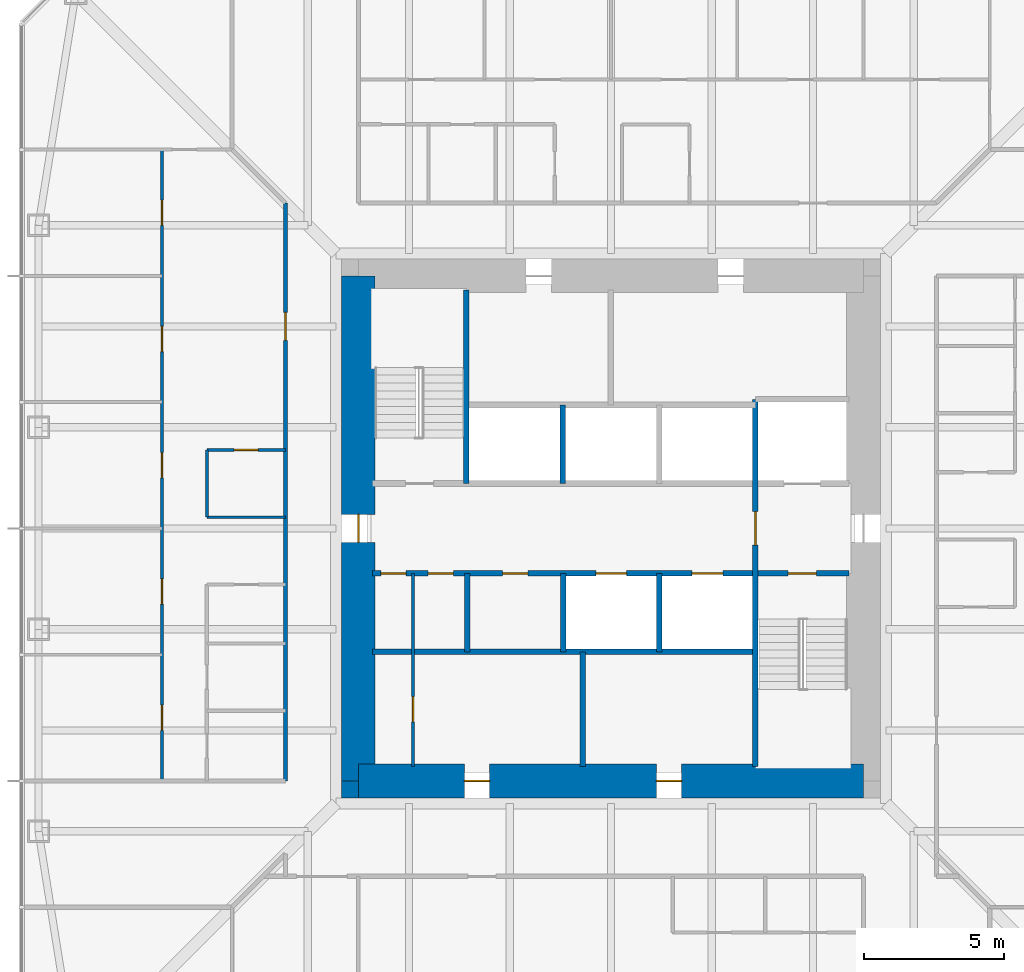
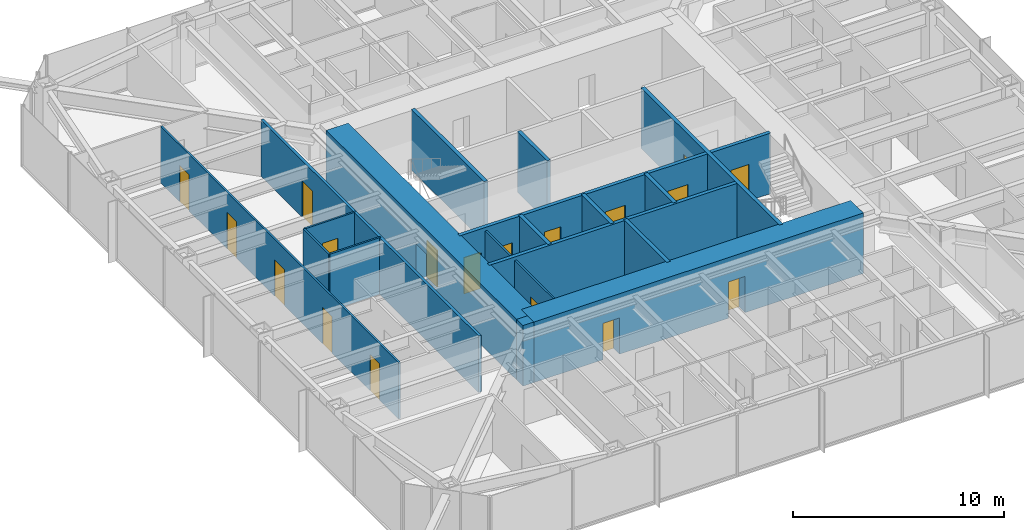
# One storey, part 14 of 25: 18 doors, 18 walls, 18 openings.
"""IFC4 building model written with IfcOpenShell, lengths in metres."""

from ifc_helpers import new_model, si_unit, direction, frame, frame_2d, origin, place, context, subcontext, project, spatial, rectangle, extrude, material, layer, layer_set, type_object, element, fill, save


model = new_model("IFC4")

# Units and contexts
model_context = context("Model", 3, precision=1e-05, world=origin(), true_north=direction((0.0, 1.0)))
body_context = subcontext(model_context, "Body", "Model", "MODEL_VIEW")
ifc_project = project(units=[si_unit("LENGTHUNIT", "METRE"), si_unit("AREAUNIT", "SQUARE_METRE"), si_unit("VOLUMEUNIT", "CUBIC_METRE"), si_unit("PLANEANGLEUNIT", "RADIAN"), si_unit("MASSUNIT", "GRAM", prefix="KILO")], contexts=[model_context])

# Site, building, storey
site_placement = place(None, origin())
site = spatial("IfcSite", under=ifc_project, at=site_placement, CompositionType="ELEMENT")
building_placement = place(site_placement, origin())
building = spatial("IfcBuilding", under=site, at=building_placement, Name="Iwan Alto Co-Living Towers", CompositionType="ELEMENT")
storey_placement = place(building_placement, frame((0.0, 0.0, 84.0)))
storey = spatial("IfcBuildingStorey", under=building, at=storey_placement, Name="L22", CompositionType="ELEMENT", Elevation=84.0)

# Wall, opening, door
ifc_material_1 = material(Name="Gypsum board")
ifc_layer_1 = layer(ifc_material_1, 0.02490234375, Name="Board", Category="Finish")
ifc_material_2 = material(Name="Steel ASTM A1003 ST33H cold-formed studs", Category="steel")
ifc_layer_2 = layer(ifc_material_2, 0.10009765625, Name="Studs", Category="Framing")
ifc_layer_3 = layer(ifc_material_1, 0.02490234375, Name="Board", Category="Finish")
ifc_layer_set_1 = layer_set([ifc_layer_1, ifc_layer_2, ifc_layer_3], Name="CORRIDOR WALL 150")
wall_type_1 = type_object("IfcWallType", Name="CORRIDOR WALL 150", PredefinedType="PARTITIONING", material=ifc_layer_set_1)
wall_1_placement = place(storey_placement, frame((-11.60009765625, -9.0, 0.0), z_axis=(0.0, 0.0, 1.0), x_axis=(0.0, 1.0, 0.0)))
wall_1 = element("IfcWall", 1, at=wall_1_placement, inside=storey, type_object=wall_type_1, Name="Partition L22", PredefinedType="PARTITIONING", context=body_context, shape_type="SweptSolid", body=[
    extrude(rectangle(XDim=20.60009765625, YDim=0.14990234375, at=frame_2d((10.300048828125, 0.0))), origin(), (0.0, 0.0, 1.0), 3.27001953125),
])
opening_1_placement = place(wall_1_placement, frame((15.699951171875, 0.0, 0.0)))
opening_1 = element("IfcOpeningElement", 2, at=opening_1_placement, cuts=wall_1, Name="Opening D3", PredefinedType="OPENING", context=body_context, shape_type="SweptSolid", body=[
    extrude(rectangle(XDim=1.0, YDim=2.10009765625, at=frame_2d((0.5, 1.050048828125))), frame((0.0, 0.0849609375, 0.0), z_axis=(0.0, -1.0, 0.0), x_axis=(1.0, 0.0, 0.0)), (0.0, 0.0, 1.0), 0.169921875),
])
ifc_material_3 = material(Name="Steel frame with timber leaf", Category="steel")
door_type_1 = type_object("IfcDoorType", Name="FLAT ENTRANCE DOOR FD30S 1000X2100", OperationType="SINGLE_SWING_LEFT", PredefinedType="DOOR", material=ifc_material_3)
door_1_placement = place(opening_1_placement, origin())
door_1 = element("IfcDoor", 3, at=door_1_placement, inside=storey, type_object=door_type_1, Name="Cluster lounge door L22", OperationType="SINGLE_SWING_LEFT", OverallHeight=2.10009765625, OverallWidth=1.0, PredefinedType="DOOR", context=body_context, shape_type="SweptSolid", body=[
    extrude(rectangle(XDim=1.0, YDim=2.10009765625, at=frame_2d((0.5, 1.050048828125))), frame((0.0, 0.02490234375, 0.0), z_axis=(0.0, -1.0, 0.0), x_axis=(1.0, 0.0, 0.0)), (0.0, 0.0, 1.0), 0.050048828125),
])
fill(opening_1, door_1)

# Wall
ifc_layer_4 = layer(ifc_material_1, 0.012451171875, Name="Board", Category="Finish")
ifc_layer_5 = layer(ifc_material_2, 0.074951171875, Name="Studs", Category="Framing")
ifc_layer_6 = layer(ifc_material_1, 0.012451171875, Name="Board", Category="Finish")
ifc_layer_set_2 = layer_set([ifc_layer_4, ifc_layer_5, ifc_layer_6], Name="PARTITION 100")
wall_type_2 = type_object("IfcWallType", Name="PARTITION 100", PredefinedType="PARTITIONING", material=ifc_layer_set_2)
wall_2_placement = place(storey_placement, frame((-14.39990234375, 0.39990234375, 0.0), z_axis=(0.0, 0.0, 1.0), x_axis=(1.0, 0.0, 0.0)))
element("IfcWall", 4, at=wall_2_placement, inside=storey, type_object=wall_type_2, Name="Partition L22", PredefinedType="PARTITIONING", context=body_context, shape_type="SweptSolid", body=[
    extrude(rectangle(XDim=2.7998046875, YDim=0.10009765625, at=frame_2d((1.39990234375, 0.0))), origin(), (0.0, 0.0, 1.0), 3.27001953125),
])

# Wall, opening, door
wall_3_placement = place(storey_placement, frame((-14.39990234375, 2.800048828125, 0.0), z_axis=(0.0, 0.0, 1.0), x_axis=(1.0, 0.0, 0.0)))
wall_3 = element("IfcWall", 5, at=wall_3_placement, inside=storey, type_object=wall_type_2, Name="Partition L22", PredefinedType="PARTITIONING", context=body_context, shape_type="SweptSolid", body=[
    extrude(rectangle(XDim=2.7998046875, YDim=0.10009765625, at=frame_2d((1.39990234375, 0.0))), origin(), (0.0, 0.0, 1.0), 3.27001953125),
])
opening_2_placement = place(wall_3_placement, frame((0.97509765625, 0.0, 0.0)))
opening_2 = element("IfcOpeningElement", 6, at=opening_2_placement, cuts=wall_3, Name="Opening D2", PredefinedType="OPENING", context=body_context, shape_type="SweptSolid", body=[
    extrude(rectangle(XDim=0.85009765625, YDim=2.10009765625, at=frame_2d((0.425048828125, 1.050048828125))), frame((0.0, 0.06005859375, 0.0), z_axis=(0.0, -1.0, 0.0), x_axis=(1.0, 0.0, 0.0)), (0.0, 0.0, 1.0), 0.1201171875),
])
ifc_material_4 = material(Name="Timber leaf in steel frame", Category="steel")
door_type_2 = type_object("IfcDoorType", Name="ROOM DOOR 850X2100", OperationType="SINGLE_SWING_LEFT", PredefinedType="DOOR", material=ifc_material_4)
door_2_placement = place(opening_2_placement, origin())
door_2 = element("IfcDoor", 7, at=door_2_placement, inside=storey, type_object=door_type_2, Name="Store room door L22", OperationType="SINGLE_SWING_RIGHT", OverallHeight=2.10009765625, OverallWidth=0.85009765625, PredefinedType="DOOR", context=body_context, shape_type="SweptSolid", body=[
    extrude(rectangle(XDim=0.85009765625, YDim=2.10009765625, at=frame_2d((0.425048828125, 1.050048828125))), frame((0.0, 0.02490234375, 0.0), z_axis=(0.0, -1.0, 0.0), x_axis=(1.0, 0.0, 0.0)), (0.0, 0.0, 1.0), 0.050048828125),
])
fill(opening_2, door_2)

wall_4_placement = place(storey_placement, frame((-7.050048828125, -8.489990234375, 0.0), z_axis=(0.0, 0.0, 1.0), x_axis=(0.0, 1.0, 0.0)))
wall_4 = element("IfcWall", 8, at=wall_4_placement, inside=storey, type_object=wall_type_2, Name="Partition L22", PredefinedType="PARTITIONING", context=body_context, shape_type="SweptSolid", body=[
    extrude(rectangle(XDim=6.889892578125, YDim=0.10009765625, at=frame_2d((3.44482421875, 0.0))), origin(), (0.0, 0.0, 1.0), 3.300048828125),
])
opening_3_placement = place(wall_4_placement, frame((1.594970703125, 0.0, 0.0)))
opening_3 = element("IfcOpeningElement", 9, at=opening_3_placement, cuts=wall_4, Name="Opening D16", PredefinedType="OPENING", context=body_context, shape_type="SweptSolid", body=[
    extrude(rectangle(XDim=0.89990234375, YDim=2.10009765625, at=frame_2d((0.449951171875, 1.050048828125))), frame((0.0, 0.06005859375, 0.0), z_axis=(0.0, -1.0, 0.0), x_axis=(1.0, 0.0, 0.0)), (0.0, 0.0, 1.0), 0.1201171875),
])
ifc_material_5 = material(Name="Timber leaf in steel frame", Category="steel")
door_type_3 = type_object("IfcDoorType", Name="CUPBOARD SLIDING DOOR 900X2100", OperationType="SLIDING_TO_LEFT", PredefinedType="DOOR", material=ifc_material_5)
door_3_placement = place(opening_3_placement, origin())
door_3 = element("IfcDoor", 10, at=door_3_placement, inside=storey, type_object=door_type_3, Name="Recycling store door L22", OperationType="SLIDING_TO_RIGHT", OverallHeight=2.10009765625, OverallWidth=0.89990234375, PredefinedType="DOOR", context=body_context, shape_type="SweptSolid", body=[
    extrude(rectangle(XDim=0.89990234375, YDim=2.10009765625, at=frame_2d((0.449951171875, 1.050048828125))), frame((0.0, 0.02490234375, 0.0), z_axis=(0.0, -1.0, 0.0), x_axis=(1.0, 0.0, 0.0)), (0.0, 0.0, 1.0), 0.050048828125),
])
fill(opening_3, door_3)

# Wall
wall_5_placement = place(storey_placement, frame((-14.39990234375, 0.39990234375, 0.0), z_axis=(0.0, 0.0, 1.0), x_axis=(0.0, 1.0, 0.0)))
element("IfcWall", 11, at=wall_5_placement, inside=storey, type_object=wall_type_2, Name="Partition L22", PredefinedType="PARTITIONING", context=body_context, shape_type="SweptSolid", body=[
    extrude(rectangle(XDim=2.400146484375, YDim=0.10009765625, at=frame_2d((1.2001953125, 0.0))), origin(), (0.0, 0.0, 1.0), 3.27001953125),
])

# Wall, openings, doors
wall_6_placement = place(storey_placement, frame((-16.0, -9.0, 0.0), z_axis=(0.0, 0.0, 1.0), x_axis=(0.0, 1.0, 0.0)))
wall_6 = element("IfcWall", 12, at=wall_6_placement, inside=storey, type_object=wall_type_2, Name="Partition L22", PredefinedType="PARTITIONING", context=body_context, shape_type="SweptSolid", body=[
    extrude(rectangle(XDim=22.5, YDim=0.10009765625, at=frame_2d((11.25, 0.0))), origin(), (0.0, 0.0, 1.0), 3.27001953125),
])
opening_4_placement = place(wall_6_placement, frame((19.800048828125, 0.0, 0.0)))
opening_4 = element("IfcOpeningElement", 13, at=opening_4_placement, cuts=wall_6, Name="Opening D1", PredefinedType="OPENING", context=body_context, shape_type="SweptSolid", body=[
    extrude(rectangle(XDim=0.89990234375, YDim=2.10009765625, at=frame_2d((0.449951171875, 1.050048828125))), frame((0.0, 0.06005859375, 0.0), z_axis=(0.0, -1.0, 0.0), x_axis=(1.0, 0.0, 0.0)), (0.0, 0.0, 1.0), 0.1201171875),
])
opening_5_placement = place(wall_6_placement, frame((15.300048828125, 0.0, 0.0)))
opening_5 = element("IfcOpeningElement", 14, at=opening_5_placement, cuts=wall_6, Name="Opening D1", PredefinedType="OPENING", context=body_context, shape_type="SweptSolid", body=[
    extrude(rectangle(XDim=0.89990234375, YDim=2.10009765625, at=frame_2d((0.449951171875, 1.050048828125))), frame((0.0, 0.06005859375, 0.0), z_axis=(0.0, -1.0, 0.0), x_axis=(1.0, 0.0, 0.0)), (0.0, 0.0, 1.0), 0.1201171875),
])
opening_6_placement = place(wall_6_placement, frame((10.800048828125, 0.0, 0.0)))
opening_6 = element("IfcOpeningElement", 15, at=opening_6_placement, cuts=wall_6, Name="Opening D1", PredefinedType="OPENING", context=body_context, shape_type="SweptSolid", body=[
    extrude(rectangle(XDim=0.89990234375, YDim=2.10009765625, at=frame_2d((0.449951171875, 1.050048828125))), frame((0.0, 0.06005859375, 0.0), z_axis=(0.0, -1.0, 0.0), x_axis=(1.0, 0.0, 0.0)), (0.0, 0.0, 1.0), 0.1201171875),
])
opening_7_placement = place(wall_6_placement, frame((6.300048828125, 0.0, 0.0)))
opening_7 = element("IfcOpeningElement", 16, at=opening_7_placement, cuts=wall_6, Name="Opening D1", PredefinedType="OPENING", context=body_context, shape_type="SweptSolid", body=[
    extrude(rectangle(XDim=0.89990234375, YDim=2.10009765625, at=frame_2d((0.449951171875, 1.050048828125))), frame((0.0, 0.06005859375, 0.0), z_axis=(0.0, -1.0, 0.0), x_axis=(1.0, 0.0, 0.0)), (0.0, 0.0, 1.0), 0.1201171875),
])
opening_8_placement = place(wall_6_placement, frame((1.800048828125, 0.0, 0.0)))
opening_8 = element("IfcOpeningElement", 17, at=opening_8_placement, cuts=wall_6, Name="Opening D1", PredefinedType="OPENING", context=body_context, shape_type="SweptSolid", body=[
    extrude(rectangle(XDim=0.89990234375, YDim=2.10009765625, at=frame_2d((0.449951171875, 1.050048828125))), frame((0.0, 0.06005859375, 0.0), z_axis=(0.0, -1.0, 0.0), x_axis=(1.0, 0.0, 0.0)), (0.0, 0.0, 1.0), 0.1201171875),
])
ifc_material_6 = material(Name="Timber leaf in steel frame", Category="steel")
door_type_4 = type_object("IfcDoorType", Name="BEDROOM DOOR 900X2100", OperationType="SINGLE_SWING_LEFT", PredefinedType="DOOR", material=ifc_material_6)
door_4_placement = place(opening_4_placement, frame((0.89990234375, 0.0, 0.0), z_axis=(0.0, 0.0, 1.0), x_axis=(-1.0, 0.0, 0.0)))
door_4 = element("IfcDoor", 18, at=door_4_placement, inside=storey, type_object=door_type_4, Name="Study bedroom door L22", OperationType="SINGLE_SWING_LEFT", OverallHeight=2.10009765625, OverallWidth=0.89990234375, PredefinedType="DOOR", context=body_context, shape_type="SweptSolid", body=[
    extrude(rectangle(XDim=0.89990234375, YDim=2.10009765625, at=frame_2d((0.449951171875, 1.050048828125))), frame((0.0, 0.02490234375, 0.0), z_axis=(0.0, -1.0, 0.0), x_axis=(1.0, 0.0, 0.0)), (0.0, 0.0, 1.0), 0.050048828125),
])
fill(opening_4, door_4)
door_5_placement = place(opening_5_placement, frame((0.89990234375, 0.0, 0.0), z_axis=(0.0, 0.0, 1.0), x_axis=(-1.0, 0.0, 0.0)))
door_5 = element("IfcDoor", 19, at=door_5_placement, inside=storey, type_object=door_type_4, Name="Study bedroom door L22", OperationType="SINGLE_SWING_LEFT", OverallHeight=2.10009765625, OverallWidth=0.89990234375, PredefinedType="DOOR", context=body_context, shape_type="SweptSolid", body=[
    extrude(rectangle(XDim=0.89990234375, YDim=2.10009765625, at=frame_2d((0.449951171875, 1.050048828125))), frame((0.0, 0.02490234375, 0.0), z_axis=(0.0, -1.0, 0.0), x_axis=(1.0, 0.0, 0.0)), (0.0, 0.0, 1.0), 0.050048828125),
])
fill(opening_5, door_5)
door_6_placement = place(opening_6_placement, frame((0.89990234375, 0.0, 0.0), z_axis=(0.0, 0.0, 1.0), x_axis=(-1.0, 0.0, 0.0)))
door_6 = element("IfcDoor", 20, at=door_6_placement, inside=storey, type_object=door_type_4, Name="Study bedroom door L22", OperationType="SINGLE_SWING_RIGHT", OverallHeight=2.10009765625, OverallWidth=0.89990234375, PredefinedType="DOOR", context=body_context, shape_type="SweptSolid", body=[
    extrude(rectangle(XDim=0.89990234375, YDim=2.10009765625, at=frame_2d((0.449951171875, 1.050048828125))), frame((0.0, 0.02490234375, 0.0), z_axis=(0.0, -1.0, 0.0), x_axis=(1.0, 0.0, 0.0)), (0.0, 0.0, 1.0), 0.050048828125),
])
fill(opening_6, door_6)
door_7_placement = place(opening_7_placement, frame((0.89990234375, 0.0, 0.0), z_axis=(0.0, 0.0, 1.0), x_axis=(-1.0, 0.0, 0.0)))
door_7 = element("IfcDoor", 21, at=door_7_placement, inside=storey, type_object=door_type_4, Name="Study bedroom door L22", OperationType="SINGLE_SWING_RIGHT", OverallHeight=2.10009765625, OverallWidth=0.89990234375, PredefinedType="DOOR", context=body_context, shape_type="SweptSolid", body=[
    extrude(rectangle(XDim=0.89990234375, YDim=2.10009765625, at=frame_2d((0.449951171875, 1.050048828125))), frame((0.0, 0.02490234375, 0.0), z_axis=(0.0, -1.0, 0.0), x_axis=(1.0, 0.0, 0.0)), (0.0, 0.0, 1.0), 0.050048828125),
])
fill(opening_7, door_7)
door_8_placement = place(opening_8_placement, frame((0.89990234375, 0.0, 0.0), z_axis=(0.0, 0.0, 1.0), x_axis=(-1.0, 0.0, 0.0)))
door_8 = element("IfcDoor", 22, at=door_8_placement, inside=storey, type_object=door_type_4, Name="Study bedroom door L22", OperationType="SINGLE_SWING_RIGHT", OverallHeight=2.10009765625, OverallWidth=0.89990234375, PredefinedType="DOOR", context=body_context, shape_type="SweptSolid", body=[
    extrude(rectangle(XDim=0.89990234375, YDim=2.10009765625, at=frame_2d((0.449951171875, 1.050048828125))), frame((0.0, 0.02490234375, 0.0), z_axis=(0.0, -1.0, 0.0), x_axis=(1.0, 0.0, 0.0)), (0.0, 0.0, 1.0), 0.050048828125),
])
fill(opening_8, door_8)

# Wall
ifc_material_7 = material(Name="Concrete f'c 70 MPa", Category="concrete")
ifc_layer_7 = layer(ifc_material_7, 0.199951171875)
ifc_layer_set_3 = layer_set([ifc_layer_7], Name="SHAFT WALL 200")
wall_type_3 = type_object("IfcWallType", Name="SHAFT WALL 200", PredefinedType="SOLIDWALL", material=ifc_layer_set_3)
wall_7_placement = place(storey_placement, frame((-8.489990234375, -4.39990234375, 0.0), z_axis=(0.0, 0.0, 1.0), x_axis=(1.0, 0.0, 0.0)))
element("IfcWall", 23, at=wall_7_placement, inside=storey, type_object=wall_type_3, Name="Shaft wall L22", PredefinedType="SOLIDWALL", context=body_context, shape_type="SweptSolid", body=[
    extrude(rectangle(XDim=13.639892578125, YDim=0.199951171875, at=frame_2d((6.81982421875, 0.0))), origin(), (0.0, 0.0, 1.0), 3.5),
])

# Wall, openings, doors
wall_8_placement = place(storey_placement, frame((-8.489990234375, -1.60009765625, 0.0), z_axis=(0.0, 0.0, 1.0), x_axis=(1.0, 0.0, 0.0)))
wall_8 = element("IfcWall", 24, at=wall_8_placement, inside=storey, type_object=wall_type_3, Name="Shaft wall L22", PredefinedType="SOLIDWALL", context=body_context, shape_type="SweptSolid", body=[
    extrude(rectangle(XDim=16.97998046875, YDim=0.199951171875, at=frame_2d((8.489990234375, 0.0))), origin(), (0.0, 0.0, 1.0), 3.5),
])
opening_9_placement = place(wall_8_placement, frame((14.81005859375, 0.0, 0.0)))
opening_9 = element("IfcOpeningElement", 25, at=opening_9_placement, cuts=wall_8, Name="Opening D5", PredefinedType="OPENING", context=body_context, shape_type="SweptSolid", body=[
    extrude(rectangle(XDim=1.0, YDim=2.10009765625, at=frame_2d((0.5, 1.050048828125))), frame((0.0, 0.10986328125, 0.0), z_axis=(0.0, -1.0, 0.0), x_axis=(1.0, 0.0, 0.0)), (0.0, 0.0, 1.0), 0.219970703125),
])
opening_10_placement = place(wall_8_placement, frame((1.972900390625, 0.0, 0.0)))
opening_10 = element("IfcOpeningElement", 26, at=opening_10_placement, cuts=wall_8, Name="Opening D15", PredefinedType="OPENING", context=body_context, shape_type="SweptSolid", body=[
    extrude(rectangle(XDim=0.89990234375, YDim=2.10009765625, at=frame_2d((0.449951171875, 1.050048828125))), frame((0.0, 0.10986328125, 0.0), z_axis=(0.0, -1.0, 0.0), x_axis=(1.0, 0.0, 0.0)), (0.0, 0.0, 1.0), 0.219970703125),
])
opening_11_placement = place(wall_8_placement, frame((0.2900390625, 0.0, 0.0)))
opening_11 = element("IfcOpeningElement", 27, at=opening_11_placement, cuts=wall_8, Name="Opening D15", PredefinedType="OPENING", context=body_context, shape_type="SweptSolid", body=[
    extrude(rectangle(XDim=0.89990234375, YDim=2.10009765625, at=frame_2d((0.449951171875, 1.050048828125))), frame((0.0, 0.10986328125, 0.0), z_axis=(0.0, -1.0, 0.0), x_axis=(1.0, 0.0, 0.0)), (0.0, 0.0, 1.0), 0.219970703125),
])
opening_12_placement = place(wall_8_placement, frame((4.626953125, 0.0, 0.0)))
opening_12 = element("IfcOpeningElement", 28, at=opening_12_placement, cuts=wall_8, Name="Opening D15", PredefinedType="OPENING", context=body_context, shape_type="SweptSolid", body=[
    extrude(rectangle(XDim=0.89990234375, YDim=2.10009765625, at=frame_2d((0.449951171875, 1.050048828125))), frame((0.0, 0.10986328125, 0.0), z_axis=(0.0, -1.0, 0.0), x_axis=(1.0, 0.0, 0.0)), (0.0, 0.0, 1.0), 0.219970703125),
])
opening_13_placement = place(wall_8_placement, frame((7.952880859375, 0.0, 0.0)))
opening_13 = element("IfcOpeningElement", 29, at=opening_13_placement, cuts=wall_8, Name="Opening LD", PredefinedType="OPENING", context=body_context, shape_type="SweptSolid", body=[
    extrude(rectangle(XDim=1.10009765625, YDim=2.10009765625, at=frame_2d((0.550048828125, 1.050048828125))), frame((0.0, 0.10986328125, 0.0), z_axis=(0.0, -1.0, 0.0), x_axis=(1.0, 0.0, 0.0)), (0.0, 0.0, 1.0), 0.219970703125),
])
opening_14_placement = place(wall_8_placement, frame((11.3779296875, 0.0, 0.0)))
opening_14 = element("IfcOpeningElement", 30, at=opening_14_placement, cuts=wall_8, Name="Opening LD", PredefinedType="OPENING", context=body_context, shape_type="SweptSolid", body=[
    extrude(rectangle(XDim=1.10009765625, YDim=2.10009765625, at=frame_2d((0.550048828125, 1.050048828125))), frame((0.0, 0.10986328125, 0.0), z_axis=(0.0, -1.0, 0.0), x_axis=(1.0, 0.0, 0.0)), (0.0, 0.0, 1.0), 0.219970703125),
])
ifc_material_8 = material(Name="Steel frame with timber leaf", Category="steel")
door_type_5 = type_object("IfcDoorType", Name="CORE ROOM DOOR FD60S 900X2100", OperationType="SINGLE_SWING_LEFT", PredefinedType="DOOR", material=ifc_material_8)
door_9_placement = place(opening_10_placement, frame((0.89990234375, 0.0, 0.0), z_axis=(0.0, 0.0, 1.0), x_axis=(-1.0, 0.0, 0.0)))
door_9 = element("IfcDoor", 31, at=door_9_placement, inside=storey, type_object=door_type_5, Name="Cleaner's store door L22", OperationType="SINGLE_SWING_RIGHT", OverallHeight=2.10009765625, OverallWidth=0.89990234375, PredefinedType="DOOR", context=body_context, shape_type="SweptSolid", body=[
    extrude(rectangle(XDim=0.89990234375, YDim=2.10009765625, at=frame_2d((0.449951171875, 1.050048828125))), frame((0.0, 0.02490234375, 0.0), z_axis=(0.0, -1.0, 0.0), x_axis=(1.0, 0.0, 0.0)), (0.0, 0.0, 1.0), 0.050048828125),
])
fill(opening_10, door_9)
door_10_placement = place(opening_11_placement, frame((0.89990234375, 0.0, 0.0), z_axis=(0.0, 0.0, 1.0), x_axis=(-1.0, 0.0, 0.0)))
door_10 = element("IfcDoor", 32, at=door_10_placement, inside=storey, type_object=door_type_5, Name="Housekeeping store door L22", OperationType="SINGLE_SWING_LEFT", OverallHeight=2.10009765625, OverallWidth=0.89990234375, PredefinedType="DOOR", context=body_context, shape_type="SweptSolid", body=[
    extrude(rectangle(XDim=0.89990234375, YDim=2.10009765625, at=frame_2d((0.449951171875, 1.050048828125))), frame((0.0, 0.02490234375, 0.0), z_axis=(0.0, -1.0, 0.0), x_axis=(1.0, 0.0, 0.0)), (0.0, 0.0, 1.0), 0.050048828125),
])
fill(opening_11, door_10)
door_11_placement = place(opening_12_placement, frame((0.89990234375, 0.0, 0.0), z_axis=(0.0, 0.0, 1.0), x_axis=(-1.0, 0.0, 0.0)))
door_11 = element("IfcDoor", 33, at=door_11_placement, inside=storey, type_object=door_type_5, Name="Cleaner's store door L22", OperationType="SINGLE_SWING_RIGHT", OverallHeight=2.10009765625, OverallWidth=0.89990234375, PredefinedType="DOOR", context=body_context, shape_type="SweptSolid", body=[
    extrude(rectangle(XDim=0.89990234375, YDim=2.10009765625, at=frame_2d((0.449951171875, 1.050048828125))), frame((0.0, 0.02490234375, 0.0), z_axis=(0.0, -1.0, 0.0), x_axis=(1.0, 0.0, 0.0)), (0.0, 0.0, 1.0), 0.050048828125),
])
fill(opening_12, door_11)
ifc_material_9 = material(Name="Steel frame with timber leaf", Category="steel")
door_type_6 = type_object("IfcDoorType", Name="LIFT LANDING DOOR 1100X2100", OperationType="DOUBLE_DOOR_SLIDING", PredefinedType="DOOR", material=ifc_material_9)
door_12_placement = place(opening_13_placement, origin())
door_12 = element("IfcDoor", 34, at=door_12_placement, inside=storey, type_object=door_type_6, Name="Lift P2-3 landing door L22", OperationType="DOUBLE_DOOR_SLIDING", OverallHeight=2.10009765625, OverallWidth=1.10009765625, PredefinedType="DOOR", context=body_context, shape_type="SweptSolid", body=[
    extrude(rectangle(XDim=1.10009765625, YDim=2.10009765625, at=frame_2d((0.550048828125, 1.050048828125))), frame((0.0, 0.02490234375, 0.0), z_axis=(0.0, -1.0, 0.0), x_axis=(1.0, 0.0, 0.0)), (0.0, 0.0, 1.0), 0.050048828125),
])
fill(opening_13, door_12)
door_13_placement = place(opening_14_placement, origin())
door_13 = element("IfcDoor", 35, at=door_13_placement, inside=storey, type_object=door_type_6, Name="Lift P2-4 landing door L22", OperationType="DOUBLE_DOOR_SLIDING", OverallHeight=2.10009765625, OverallWidth=1.10009765625, PredefinedType="DOOR", context=body_context, shape_type="SweptSolid", body=[
    extrude(rectangle(XDim=1.10009765625, YDim=2.10009765625, at=frame_2d((0.550048828125, 1.050048828125))), frame((0.0, 0.02490234375, 0.0), z_axis=(0.0, -1.0, 0.0), x_axis=(1.0, 0.0, 0.0)), (0.0, 0.0, 1.0), 0.050048828125),
])
fill(opening_14, door_13)
ifc_material_10 = material(Name="Steel frame with timber leaf", Category="steel")
door_type_7 = type_object("IfcDoorType", Name="STAIR DOOR FD120S 1000X2100", OperationType="SINGLE_SWING_LEFT", PredefinedType="DOOR", material=ifc_material_10)
door_14_placement = place(opening_9_placement, frame((1.0, 0.0, 0.0), z_axis=(0.0, 0.0, 1.0), x_axis=(-1.0, 0.0, 0.0)))
door_14 = element("IfcDoor", 36, at=door_14_placement, inside=storey, type_object=door_type_7, Name="Stair S2 door L22", OperationType="SINGLE_SWING_RIGHT", OverallHeight=2.10009765625, OverallWidth=1.0, PredefinedType="DOOR", context=body_context, shape_type="SweptSolid", body=[
    extrude(rectangle(XDim=1.0, YDim=2.10009765625, at=frame_2d((0.5, 1.050048828125))), frame((0.0, 0.02490234375, 0.0), z_axis=(0.0, -1.0, 0.0), x_axis=(1.0, 0.0, 0.0)), (0.0, 0.0, 1.0), 0.050048828125),
])
fill(opening_9, door_14)

# Wall, opening, door
wall_9_placement = place(storey_placement, frame((5.14990234375, -8.489990234375, 0.0), z_axis=(0.0, 0.0, 1.0), x_axis=(0.0, 1.0, 0.0)))
wall_9 = element("IfcWall", 37, at=wall_9_placement, inside=storey, type_object=wall_type_3, Name="Shaft wall L22", PredefinedType="SOLIDWALL", context=body_context, shape_type="SweptSolid", body=[
    extrude(rectangle(XDim=13.090087890625, YDim=0.199951171875, at=frame_2d((6.544921875, 0.0))), origin(), (0.0, 0.0, 1.0), 3.5),
])
opening_15_placement = place(wall_9_placement, frame((7.889892578125, 0.0, 0.0)))
opening_15 = element("IfcOpeningElement", 38, at=opening_15_placement, cuts=wall_9, Name="Opening D6", PredefinedType="OPENING", context=body_context, shape_type="SweptSolid", body=[
    extrude(rectangle(XDim=1.199951171875, YDim=2.10009765625, at=frame_2d((0.60009765625, 1.050048828125))), frame((0.0, 0.10986328125, 0.0), z_axis=(0.0, -1.0, 0.0), x_axis=(1.0, 0.0, 0.0)), (0.0, 0.0, 1.0), 0.219970703125),
])
ifc_material_11 = material(Name="Steel frame with timber leaf", Category="steel")
door_type_8 = type_object("IfcDoorType", Name="LOBBY DOOR FD120S 1200X2100", OperationType="SINGLE_SWING_LEFT", PredefinedType="DOOR", material=ifc_material_11)
door_15_placement = place(opening_15_placement, frame((1.199951171875, 0.0, 0.0), z_axis=(0.0, 0.0, 1.0), x_axis=(-1.0, 0.0, 0.0)))
door_15 = element("IfcDoor", 39, at=door_15_placement, inside=storey, type_object=door_type_8, Name="Firefighting lobby door L22", OperationType="SINGLE_SWING_RIGHT", OverallHeight=2.10009765625, OverallWidth=1.199951171875, PredefinedType="DOOR", context=body_context, shape_type="SweptSolid", body=[
    extrude(rectangle(XDim=1.199951171875, YDim=2.10009765625, at=frame_2d((0.60009765625, 1.050048828125))), frame((0.0, 0.02490234375, 0.0), z_axis=(0.0, -1.0, 0.0), x_axis=(1.0, 0.0, 0.0)), (0.0, 0.0, 1.0), 0.050048828125),
])
fill(opening_15, door_15)

# Walls
wall_10_placement = place(storey_placement, frame((1.72509765625, -4.39990234375, 0.0), z_axis=(0.0, 0.0, 1.0), x_axis=(0.0, 1.0, 0.0)))
element("IfcWall", 40, at=wall_10_placement, inside=storey, type_object=wall_type_3, Name="Shaft wall L22", PredefinedType="SOLIDWALL", context=body_context, shape_type="SweptSolid", body=[
    extrude(rectangle(XDim=2.7998046875, YDim=0.199951171875, at=frame_2d((1.39990234375, 0.0))), origin(), (0.0, 0.0, 1.0), 3.5),
])
wall_11_placement = place(storey_placement, frame((-1.0, -8.489990234375, 0.0), z_axis=(0.0, 0.0, 1.0), x_axis=(0.0, 1.0, 0.0)))
element("IfcWall", 41, at=wall_11_placement, inside=storey, type_object=wall_type_3, Name="Shaft wall L22", PredefinedType="SOLIDWALL", context=body_context, shape_type="SweptSolid", body=[
    extrude(rectangle(XDim=4.090087890625, YDim=0.199951171875, at=frame_2d((2.044921875, 0.0))), origin(), (0.0, 0.0, 1.0), 3.5),
])
for number, where, z_axis, x_axis, name in (
    (42, (-1.699951171875, -4.39990234375, 0.0), (0.0, 0.0, 1.0), (0.0, 1.0, 0.0), "Shaft wall L22"),
    (43, (-1.717041015625, 1.60009765625, 0.0), (0.0, 0.0, 1.0), (0.0, 1.0, 0.0), "Shaft wall L22"),
    (44, (-5.125, -4.39990234375, 0.0), (0.0, 0.0, 1.0), (0.0, 1.0, 0.0), "Shaft wall L22"),
):
    element("IfcWall", number, at=place(storey_placement, frame(where, z_axis=z_axis, x_axis=x_axis)), inside=storey, type_object=wall_type_3, Name=name, PredefinedType="SOLIDWALL", context=body_context, shape_type="SweptSolid", body=[
        extrude(rectangle(XDim=2.7998046875, YDim=0.199951171875, at=frame_2d((1.39990234375, 0.0))), origin(), (0.0, 0.0, 1.0), 3.5),
    ])
wall_12_placement = place(storey_placement, frame((-5.14990234375, 1.60009765625, 0.0), z_axis=(0.0, 0.0, 1.0), x_axis=(0.0, 1.0, 0.0)))
element("IfcWall", 45, at=wall_12_placement, inside=storey, type_object=wall_type_3, Name="Shaft wall L22", PredefinedType="SOLIDWALL", context=body_context, shape_type="SweptSolid", body=[
    extrude(rectangle(XDim=6.889892578125, YDim=0.199951171875, at=frame_2d((3.44482421875, 0.0))), origin(), (0.0, 0.0, 1.0), 3.5),
])
ifc_material_12 = material(Name="Concrete f'c 70 MPa", Category="concrete")
ifc_layer_8 = layer(ifc_material_12, 0.60009765625)
ifc_layer_set_4 = layer_set([ifc_layer_8], Name="T1 CORE CORNER FILL 600")
wall_type_4 = type_object("IfcWallType", Name="T1 CORE CORNER FILL 600", PredefinedType="SOLIDWALL", material=ifc_layer_set_4)
wall_13_placement = place(storey_placement, frame((-9.60009765625, -9.300048828125, 0.0), z_axis=(0.0, 0.0, 1.0), x_axis=(1.0, 0.0, 0.0)))
element("IfcWall", 46, at=wall_13_placement, inside=storey, type_object=wall_type_4, Name="T1 core corner SW L22", PredefinedType="SOLIDWALL", context=body_context, shape_type="SweptSolid", body=[
    extrude(rectangle(XDim=0.60009765625, YDim=0.60009765625, at=frame_2d((0.300048828125, 0.0))), origin(), (0.0, 0.0, 1.0), 3.5),
])

# Wall, openings, doors
ifc_material_13 = material(Name="Concrete f'c 70 MPa", Category="concrete")
ifc_layer_9 = layer(ifc_material_13, 1.199951171875)
ifc_layer_set_5 = layer_set([ifc_layer_9], Name="T1 CORE WALL 1200")
wall_type_5 = type_object("IfcWallType", Name="T1 CORE WALL 1200", PredefinedType="SHEAR", material=ifc_layer_set_5)
wall_14_placement = place(storey_placement, frame((-9.0, -9.0, 0.0), z_axis=(0.0, 0.0, 1.0), x_axis=(1.0, 0.0, 0.0)))
wall_14 = element("IfcWall", 47, at=wall_14_placement, inside=storey, type_object=wall_type_5, Name="T1 core wall S L22", PredefinedType="SHEAR", context=body_context, shape_type="SweptSolid", body=[
    extrude(rectangle(XDim=18.0, YDim=1.199951171875, at=frame_2d((9.0, 0.0))), origin(), (0.0, 0.0, 1.0), 3.5),
])
opening_16_placement = place(wall_14_placement, frame((3.77490234375, 0.0, 0.0)))
opening_16 = element("IfcOpeningElement", 48, at=opening_16_placement, cuts=wall_14, Name="Opening D8", PredefinedType="OPENING", context=body_context, shape_type="SweptSolid", body=[
    extrude(rectangle(XDim=0.89990234375, YDim=2.10009765625, at=frame_2d((0.449951171875, 1.050048828125))), frame((0.0, 0.60986328125, 0.0), z_axis=(0.0, -1.0, 0.0), x_axis=(1.0, 0.0, 0.0)), (0.0, 0.0, 1.0), 1.219970703125),
])
opening_17_placement = place(wall_14_placement, frame((10.625, 0.0, 0.0)))
opening_17 = element("IfcOpeningElement", 49, at=opening_17_placement, cuts=wall_14, Name="Opening D8", PredefinedType="OPENING", context=body_context, shape_type="SweptSolid", body=[
    extrude(rectangle(XDim=0.89990234375, YDim=2.10009765625, at=frame_2d((0.449951171875, 1.050048828125))), frame((0.0, 0.60986328125, 0.0), z_axis=(0.0, -1.0, 0.0), x_axis=(1.0, 0.0, 0.0)), (0.0, 0.0, 1.0), 1.219970703125),
])
ifc_material_14 = material(Name="Steel frame with timber leaf", Category="steel")
door_type_9 = type_object("IfcDoorType", Name="RISER DOOR FD120 900X2100", OperationType="SINGLE_SWING_LEFT", PredefinedType="DOOR", material=ifc_material_14)
door_16_placement = place(opening_16_placement, origin())
door_16 = element("IfcDoor", 50, at=door_16_placement, inside=storey, type_object=door_type_9, Name="Refuse room core door L22", OperationType="SINGLE_SWING_LEFT", OverallHeight=2.10009765625, OverallWidth=0.89990234375, PredefinedType="DOOR", context=body_context, shape_type="SweptSolid", body=[
    extrude(rectangle(XDim=0.89990234375, YDim=2.10009765625, at=frame_2d((0.449951171875, 1.050048828125))), frame((0.0, 0.02490234375, 0.0), z_axis=(0.0, -1.0, 0.0), x_axis=(1.0, 0.0, 0.0)), (0.0, 0.0, 1.0), 0.050048828125),
])
fill(opening_16, door_16)
door_17_placement = place(opening_17_placement, origin())
door_17 = element("IfcDoor", 51, at=door_17_placement, inside=storey, type_object=door_type_9, Name="Telecom riser core door L22", OperationType="SINGLE_SWING_LEFT", OverallHeight=2.10009765625, OverallWidth=0.89990234375, PredefinedType="DOOR", context=body_context, shape_type="SweptSolid", body=[
    extrude(rectangle(XDim=0.89990234375, YDim=2.10009765625, at=frame_2d((0.449951171875, 1.050048828125))), frame((0.0, 0.02490234375, 0.0), z_axis=(0.0, -1.0, 0.0), x_axis=(1.0, 0.0, 0.0)), (0.0, 0.0, 1.0), 0.050048828125),
])
fill(opening_17, door_17)

# Wall, opening, door
wall_15_placement = place(storey_placement, frame((-9.0, 9.0, 0.0), z_axis=(0.0, 0.0, 1.0), x_axis=(0.0, -1.0, 0.0)))
wall_15 = element("IfcWall", 52, at=wall_15_placement, inside=storey, type_object=wall_type_5, Name="T1 core wall W L22", PredefinedType="SHEAR", context=body_context, shape_type="SweptSolid", body=[
    extrude(rectangle(XDim=18.0, YDim=1.199951171875, at=frame_2d((9.0, 0.0))), origin(), (0.0, 0.0, 1.0), 3.5),
])
opening_18_placement = place(wall_15_placement, frame((8.5, 0.0, 0.0)))
opening_18 = element("IfcOpeningElement", 53, at=opening_18_placement, cuts=wall_15, Name="Opening D7", PredefinedType="OPENING", context=body_context, shape_type="SweptSolid", body=[
    extrude(rectangle(XDim=1.0, YDim=2.10009765625, at=frame_2d((0.5, 1.050048828125))), frame((0.0, 0.60986328125, 0.0), z_axis=(0.0, -1.0, 0.0), x_axis=(1.0, 0.0, 0.0)), (0.0, 0.0, 1.0), 1.219970703125),
])
ifc_material_15 = material(Name="Steel frame with timber leaf", Category="steel")
door_type_10 = type_object("IfcDoorType", Name="CORE DOOR FD120S 1000X2100", OperationType="SINGLE_SWING_LEFT", PredefinedType="DOOR", material=ifc_material_15)
door_18_placement = place(opening_18_placement, origin())
door_18 = element("IfcDoor", 54, at=door_18_placement, inside=storey, type_object=door_type_10, Name="Lift lobby core door L22", OperationType="SINGLE_SWING_RIGHT", OverallHeight=2.10009765625, OverallWidth=1.0, PredefinedType="DOOR", context=body_context, shape_type="SweptSolid", body=[
    extrude(rectangle(XDim=1.0, YDim=2.10009765625, at=frame_2d((0.5, 1.050048828125))), frame((0.0, 0.02490234375, 0.0), z_axis=(0.0, -1.0, 0.0), x_axis=(1.0, 0.0, 0.0)), (0.0, 0.0, 1.0), 0.050048828125),
])
fill(opening_18, door_18)

save(model, "model.ifc")
